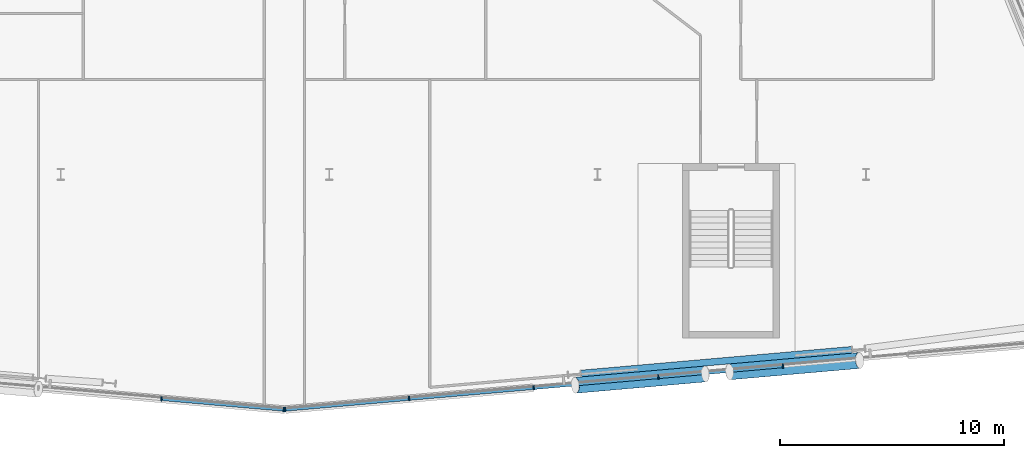
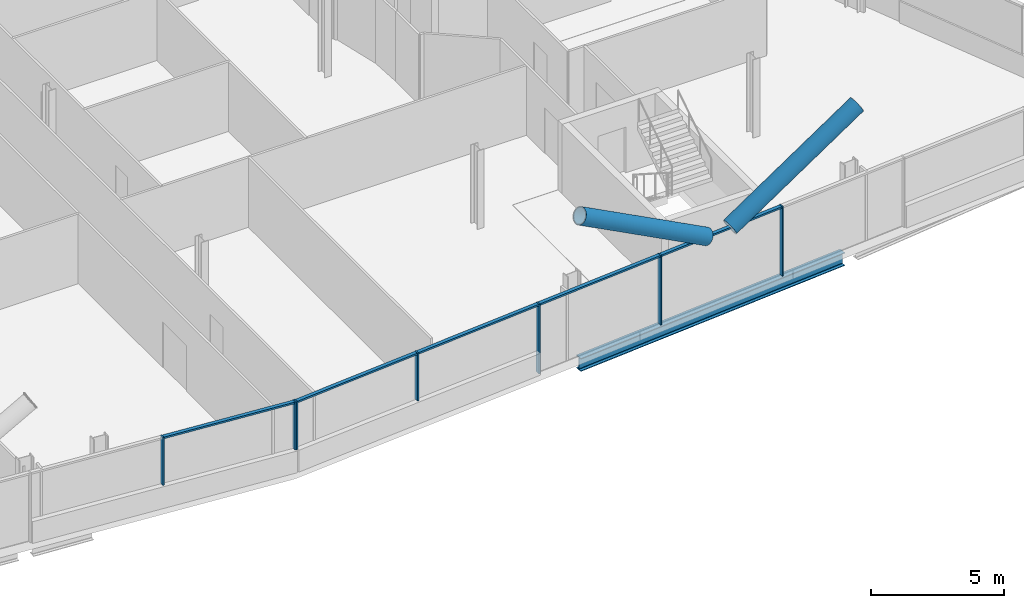
# One storey, part 8 of 26: 14 members, 1 beam, 2 elements without a shape of their own.
"""IFC4 building model written with IfcOpenShell, lengths in metres."""

from ifc_helpers import new_model, si_unit, direction, frame, origin, origin_2d, place, context, subcontext, project, spatial, rectangle, hollow_circle, i_section, extrude, material, material_profile, profile_set, type_object, element, aggregate, save


model = new_model("IFC4")

# Units and contexts
model_context = context("Model", 3, precision=1e-05, world=origin(), true_north=direction((0.0, 1.0)))
body_context = subcontext(model_context, "Body", "Model", "MODEL_VIEW")
ifc_project = project(units=[si_unit("LENGTHUNIT", "METRE"), si_unit("AREAUNIT", "SQUARE_METRE"), si_unit("VOLUMEUNIT", "CUBIC_METRE"), si_unit("PLANEANGLEUNIT", "RADIAN"), si_unit("MASSUNIT", "GRAM", prefix="KILO")], contexts=[model_context])

# Site, building, storey
site_placement = place(None, origin())
site = spatial("IfcSite", under=ifc_project, at=site_placement, CompositionType="ELEMENT")
building_placement = place(site_placement, origin())
building = spatial("IfcBuilding", under=site, at=building_placement, Name="Wharfspan Tower", CompositionType="ELEMENT")
storey_placement = place(building_placement, frame((0.0, 0.0, 166.300049)))
storey = spatial("IfcBuildingStorey", under=building, at=storey_placement, Name="L40", CompositionType="ELEMENT", Elevation=166.300049)

# Beam
ifc_material_1 = material(Name="Steel S355J2", Category="steel")
ifc_material_profile_1 = material_profile(ifc_material_1, i_section(OverallWidth=0.300049, OverallDepth=0.600098, WebThickness=0.015381, FlangeThickness=0.030029, FilletRadius=0.0271, at=origin_2d()))
ifc_profile_set_1 = profile_set([ifc_material_profile_1], Name="Steel S355J2")
beam_type = type_object("IfcBeamType", Name="Edge beam HEB 600", PredefinedType="SPANDREL", material=ifc_profile_set_1)
beam_placement = place(storey_placement, frame((59.265625, 2.600342, -0.699951), z_axis=(0.996195, 0.087155, 0.0), x_axis=(-0.087155, 0.996195, 0.0)))
element("IfcBeam", 1, at=beam_placement, inside=storey, type_object=beam_type, Name="Edge beam S2 L40 PS2.1 to PS2.2", PredefinedType="SPANDREL", context=body_context, shape_type="SweptSolid", body=[
    extrude(i_section(OverallWidth=0.300049, OverallDepth=0.600098, WebThickness=0.015381, FlangeThickness=0.030029, FilletRadius=0.0271, at=origin_2d()), origin(), (0.0, 0.0, 1.0), 12.137695),
])

# Curtain wall, members
ifc_material_2 = material(Name="Aluminium 6063-T6", Category="aluminium")
curtain_wall_type = type_object("IfcCurtainWallType", Name="CURTAIN WALL FACETED FRONT", PredefinedType="NOTDEFINED", material=ifc_material_2)
curtain_wall_1_placement = place(storey_placement, origin())
curtain_wall_1 = element("IfcCurtainWall", 2, at=curtain_wall_1_placement, inside=storey, type_object=curtain_wall_type, Name="Curtain wall S1", PredefinedType="NOTDEFINED")
ifc_material_profile_2 = material_profile(ifc_material_2, rectangle(XDim=0.199951, YDim=0.060059, at=origin_2d()))
ifc_profile_set_2 = profile_set([ifc_material_profile_2], Name="Aluminium 6063-T6")
member_type_1 = type_object("IfcMemberType", Name="MULLION FACETED FRONT 60x200", PredefinedType="MULLION", material=ifc_profile_set_2)
member_1_placement = place(storey_placement, frame((40.5, 1.469238, 1.0), z_axis=(0.0, 0.0, 1.0), x_axis=(0.087156, 0.996198, 0.0)))
member_1 = element("IfcMember", 3, at=member_1_placement, type_object=member_type_1, Name="Curtain wall S1 mullion 6", PredefinedType="MULLION", context=body_context, shape_type="SweptSolid", body=[
    extrude(rectangle(XDim=0.199951, YDim=0.060059, at=origin_2d()), origin(), (0.0, 0.0, 1.0), 2.199951),
])
member_2_placement = place(storey_placement, frame((45.970215, 0.990479, 1.0), z_axis=(0.0, 0.0, 1.0), x_axis=(0.087156, 0.996198, 0.0)))
member_2 = element("IfcMember", 4, at=member_2_placement, type_object=member_type_1, Name="Curtain wall S1 mullion 7", PredefinedType="MULLION", context=body_context, shape_type="SweptSolid", body=[
    extrude(rectangle(XDim=0.199951, YDim=0.060059, at=origin_2d()), origin(), (0.0, 0.0, 1.0), 2.199951),
])

curtain_wall_2_placement = place(storey_placement, origin())
curtain_wall_2 = element("IfcCurtainWall", 5, at=curtain_wall_2_placement, inside=storey, type_object=curtain_wall_type, Name="Curtain wall S2", PredefinedType="NOTDEFINED")
member_3_placement = place(storey_placement, frame((46.029785, 0.990479, 1.0), z_axis=(0.0, 0.0, 1.0), x_axis=(-0.087156, 0.996198, 0.0)))
member_3 = element("IfcMember", 6, at=member_3_placement, type_object=member_type_1, Name="Curtain wall S2 mullion 1", PredefinedType="MULLION", context=body_context, shape_type="SweptSolid", body=[
    extrude(rectangle(XDim=0.199951, YDim=0.060059, at=origin_2d()), origin(), (0.0, 0.0, 1.0), 2.199951),
])
member_4_placement = place(storey_placement, frame((51.571533, 1.475342, 1.0), z_axis=(0.0, 0.0, 1.0), x_axis=(-0.087156, 0.996198, 0.0)))
member_4 = element("IfcMember", 7, at=member_4_placement, type_object=member_type_1, Name="Curtain wall S2 mullion 2", PredefinedType="MULLION", context=body_context, shape_type="SweptSolid", body=[
    extrude(rectangle(XDim=0.199951, YDim=0.060059, at=origin_2d()), origin(), (0.0, 0.0, 1.0), 2.199951),
])
member_5_placement = place(storey_placement, frame((57.142822, 1.962891, 0.0), z_axis=(0.0, 0.0, 1.0), x_axis=(-0.087156, 0.996198, 0.0)))
member_5 = element("IfcMember", 8, at=member_5_placement, type_object=member_type_1, Name="Curtain wall S2 mullion 3", PredefinedType="MULLION", context=body_context, shape_type="SweptSolid", body=[
    extrude(rectangle(XDim=0.199951, YDim=0.060059, at=origin_2d()), origin(), (0.0, 0.0, 1.0), 3.199951),
])
member_6_placement = place(storey_placement, frame((62.714355, 2.450195, 0.0), z_axis=(0.0, 0.0, 1.0), x_axis=(-0.087156, 0.996198, 0.0)))
member_6 = element("IfcMember", 9, at=member_6_placement, type_object=member_type_1, Name="Curtain wall S2 mullion 4", PredefinedType="MULLION", context=body_context, shape_type="SweptSolid", body=[
    extrude(rectangle(XDim=0.199951, YDim=0.060059, at=origin_2d()), origin(), (0.0, 0.0, 1.0), 3.199951),
])
member_7_placement = place(storey_placement, frame((68.285645, 2.937744, 0.0), z_axis=(0.0, 0.0, 1.0), x_axis=(-0.087156, 0.996198, 0.0)))
member_7 = element("IfcMember", 10, at=member_7_placement, type_object=member_type_1, Name="Curtain wall S2 mullion 5", PredefinedType="MULLION", context=body_context, shape_type="SweptSolid", body=[
    extrude(rectangle(XDim=0.199951, YDim=0.060059, at=origin_2d()), origin(), (0.0, 0.0, 1.0), 3.199951),
])

# Members
ifc_material_3 = material(Name="Steel S460NH", Category="steel")
ifc_material_profile_3 = material_profile(ifc_material_3, hollow_circle(Radius=0.355469, WallThickness=0.035889, at=origin_2d()))
ifc_profile_set_3 = profile_set([ifc_material_profile_3], Name="Steel S460NH")
member_type_2 = type_object("IfcMemberType", Name="Mega brace CHS 711x36", PredefinedType="BRACE", material=ifc_profile_set_3)
member_8_placement = place(storey_placement, frame((65.897949, 2.673584, 3.20752), z_axis=(0.867436, 0.075878, 0.491729), x_axis=(-0.08714, 0.996196, -2e-06)))
element("IfcMember", 11, at=member_8_placement, inside=storey, type_object=member_type_2, Name="Mega brace S2 L40 part 2", PredefinedType="BRACE", context=body_context, shape_type="SweptSolid", body=[
    extrude(hollow_circle(Radius=0.355469, WallThickness=0.035889, at=origin_2d()), origin(), (0.0, 0.0, 1.0), 6.695801),
])
member_9_placement = place(storey_placement, frame((64.812744, 2.578613, 3.20752), z_axis=(-0.867427, -0.07588, 0.491745), x_axis=(0.087145, -0.996197, 1e-06)))
element("IfcMember", 12, at=member_9_placement, inside=storey, type_object=member_type_2, Name="Mega brace S2 L40 part 4", PredefinedType="BRACE", context=body_context, shape_type="SweptSolid", body=[
    extrude(hollow_circle(Radius=0.355469, WallThickness=0.035889, at=origin_2d()), origin(), (0.0, 0.0, 1.0), 6.695557),
])

# Member
ifc_material_profile_4 = material_profile(ifc_material_2, rectangle(XDim=0.159912, YDim=0.080078, at=origin_2d()))
ifc_profile_set_4 = profile_set([ifc_material_profile_4], Name="Aluminium 6063-T6")
member_type_3 = type_object("IfcMemberType", Name="TRANSOM FACETED FRONT 80x160", PredefinedType="USERDEFINED", material=ifc_profile_set_4)
member_10_placement = place(storey_placement, frame((40.529785, 1.466553, 3.159912), z_axis=(0.996194, -0.087163, 0.0), x_axis=(0.087163, 0.996194, 0.0)))
member_10 = element("IfcMember", 13, at=member_10_placement, type_object=member_type_3, Name="Curtain wall S1 transom 6", ObjectType="TRANSOM", PredefinedType="USERDEFINED", context=body_context, shape_type="SweptSolid", body=[
    extrude(rectangle(XDim=0.159912, YDim=0.080078, at=origin_2d()), origin(), (0.0, 0.0, 1.0), 5.431152),
])

aggregate(curtain_wall_1, [member_1, member_2, member_10])

member_11_placement = place(storey_placement, frame((46.059814, 0.993164, 3.159912), z_axis=(0.996196, 0.087139, 0.0), x_axis=(-0.087139, 0.996196, 0.0)))
member_11 = element("IfcMember", 14, at=member_11_placement, type_object=member_type_3, Name="Curtain wall S2 transom 1", ObjectType="TRANSOM", PredefinedType="USERDEFINED", context=body_context, shape_type="SweptSolid", body=[
    extrude(rectangle(XDim=0.159912, YDim=0.080078, at=origin_2d()), origin(), (0.0, 0.0, 1.0), 5.502686),
])

member_12_placement = place(storey_placement, frame((51.601318, 1.478027, 3.159912), z_axis=(0.996195, 0.087149, 0.0), x_axis=(-0.087149, 0.996195, 0.0)))
member_12 = element("IfcMember", 15, at=member_12_placement, type_object=member_type_3, Name="Curtain wall S2 transom 2", ObjectType="TRANSOM", PredefinedType="USERDEFINED", context=body_context, shape_type="SweptSolid", body=[
    extrude(rectangle(XDim=0.159912, YDim=0.080078, at=origin_2d()), origin(), (0.0, 0.0, 1.0), 5.532715),
])

member_13_placement = place(storey_placement, frame((57.172852, 1.965332, 3.159912), z_axis=(0.996191, 0.087197, 0.0), x_axis=(-0.087197, 0.996191, 0.0)))
member_13 = element("IfcMember", 16, at=member_13_placement, type_object=member_type_3, Name="Curtain wall S2 transom 3", ObjectType="TRANSOM", PredefinedType="USERDEFINED", context=body_context, shape_type="SweptSolid", body=[
    extrude(rectangle(XDim=0.159912, YDim=0.080078, at=origin_2d()), origin(), (0.0, 0.0, 1.0), 5.532471),
])

member_14_placement = place(storey_placement, frame((62.744141, 2.452881, 3.159912), z_axis=(0.996195, 0.087149, 0.0), x_axis=(-0.087149, 0.996195, 0.0)))
member_14 = element("IfcMember", 17, at=member_14_placement, type_object=member_type_3, Name="Curtain wall S2 transom 4", ObjectType="TRANSOM", PredefinedType="USERDEFINED", context=body_context, shape_type="SweptSolid", body=[
    extrude(rectangle(XDim=0.159912, YDim=0.080078, at=origin_2d()), origin(), (0.0, 0.0, 1.0), 5.532715),
])

aggregate(curtain_wall_2, [member_3, member_4, member_5, member_6, member_7, member_11, member_12, member_13, member_14])

save(model, "model.ifc")
